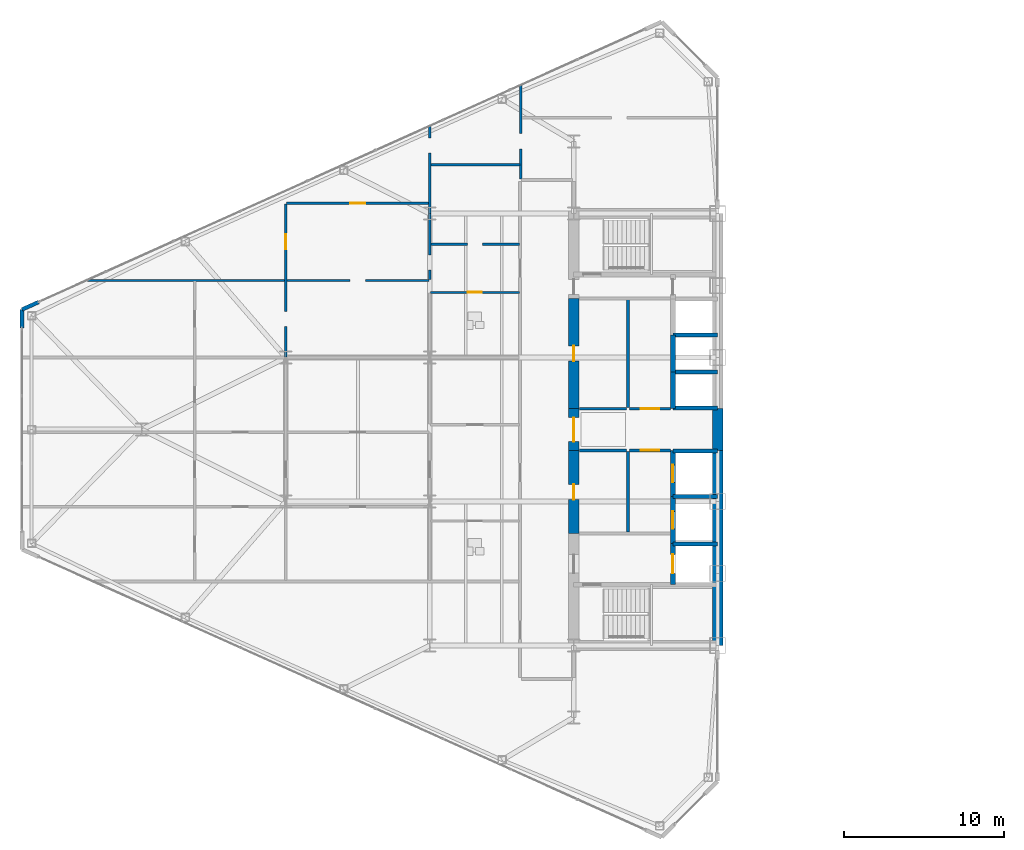
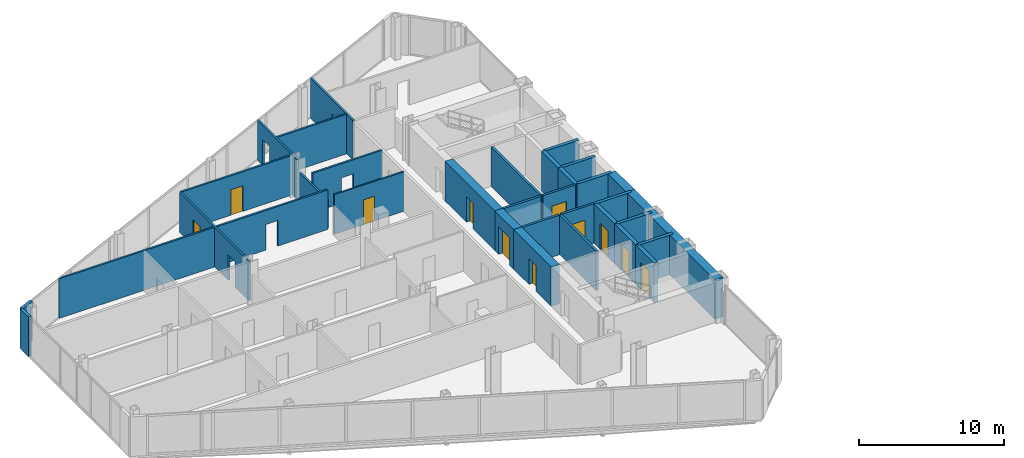
# One storey, part 20 of 27: 33 walls, 11 doors, 17 openings.
"""IFC4 building model written with IfcOpenShell, lengths in metres."""

from ifc_helpers import new_model, si_unit, direction, frame, frame_2d, origin, place, context, subcontext, project, spatial, rectangle, extrude, source, transform, mapped, material, layer, layer_set, type_object, type_shapes, element, fill, save


model = new_model("IFC4")

# Units and contexts
model_context = context("Model", 3, precision=1e-05, world=origin(), true_north=direction((0.0, 1.0)))
body_context = subcontext(model_context, "Body", "Model", "MODEL_VIEW")
ifc_project = project(units=[si_unit("LENGTHUNIT", "METRE"), si_unit("AREAUNIT", "SQUARE_METRE"), si_unit("VOLUMEUNIT", "CUBIC_METRE"), si_unit("PLANEANGLEUNIT", "RADIAN"), si_unit("MASSUNIT", "GRAM", prefix="KILO")], contexts=[model_context])

# Site, building, storey
site_placement = place(None, origin())
site = spatial("IfcSite", under=ifc_project, at=site_placement, CompositionType="ELEMENT")
building_placement = place(site_placement, origin())
building = spatial("IfcBuilding", under=site, at=building_placement, Name="Seokmaru Belvedere", CompositionType="ELEMENT")
storey_placement = place(building_placement, frame((0.0, 0.0, 83.699951171875)))
storey = spatial("IfcBuildingStorey", under=building, at=storey_placement, Name="L22", CompositionType="ELEMENT", Elevation=83.699951171875)

# Wall, opening
ifc_material_1 = material(Name="Fire-Rated Gypsum Shaftwall")
ifc_layer_1 = layer(ifc_material_1, 0.14990234375)
ifc_layer_set_1 = layer_set([ifc_layer_1], Name="Fire-Rated Gypsum Shaftwall")
wall_type_1 = type_object("IfcWallType", Name="Apartment Fire-Acoustic Room Partition 150", PredefinedType="PARTITIONING", material=ifc_layer_set_1)
wall_1_placement = place(storey_placement, frame((-66.97900390625, 9.320068359375, 0.0), z_axis=(0.0, 0.0, 1.0), x_axis=(1.0, 0.0, 0.0)))
wall_1 = element("IfcWall", 1, at=wall_1_placement, inside=storey, type_object=wall_type_1, Name="L22 Interior Partition 024", PredefinedType="PARTITIONING", context=body_context, shape_type="SweptSolid", body=[
    extrude(rectangle(XDim=21.428955078125, YDim=0.14990234375, at=frame_2d((10.71435546875, 0.0))), origin(), (0.0, 0.0, 1.0), 3.340087890625),
])
opening_1_placement = place(wall_1_placement, frame((16.50390625, 0.0, 0.0)))
element("IfcOpeningElement", 2, at=opening_1_placement, cuts=wall_1, Name="L22 Cased Opening 019", PredefinedType="OPENING", context=body_context, shape_type="SweptSolid", body=[
    extrude(rectangle(XDim=0.949951171875, YDim=2.14990234375, at=frame_2d((0.47509765625, 1.074951171875))), frame((0.0, 0.0849609375, 0.0), z_axis=(0.0, -1.0, 0.0), x_axis=(1.0, 0.0, 0.0)), (0.0, 0.0, 1.0), 0.169921875),
])

wall_2_placement = place(storey_placement, frame((-45.449951171875, 11.580078125, 0.0), z_axis=(0.0, 0.0, 1.0), x_axis=(1.0, 0.0, 0.0)))
wall_2 = element("IfcWall", 3, at=wall_2_placement, inside=storey, type_object=wall_type_1, Name="L22 Interior Partition 026", PredefinedType="PARTITIONING", context=body_context, shape_type="SweptSolid", body=[
    extrude(rectangle(XDim=5.550048828125, YDim=0.14990234375, at=frame_2d((2.77490234375, 0.0))), origin(), (0.0, 0.0, 1.0), 3.340087890625),
])
opening_2_placement = place(wall_2_placement, frame((2.300048828125, 0.0, 0.0)))
element("IfcOpeningElement", 4, at=opening_2_placement, cuts=wall_2, Name="L22 Cased Opening 016", PredefinedType="OPENING", context=body_context, shape_type="SweptSolid", body=[
    extrude(rectangle(XDim=0.949951171875, YDim=2.14990234375, at=frame_2d((0.47509765625, 1.074951171875))), frame((0.0, 0.0849609375, 0.0), z_axis=(0.0, -1.0, 0.0), x_axis=(1.0, 0.0, 0.0)), (0.0, 0.0, 1.0), 0.169921875),
])

# Wall, opening, door
wall_3_placement = place(storey_placement, frame((-54.449951171875, 14.14990234375, 0.0), z_axis=(0.0, 0.0, 1.0), x_axis=(1.0, 0.0, 0.0)))
wall_3 = element("IfcWall", 5, at=wall_3_placement, inside=storey, type_object=wall_type_1, Name="L22 Interior Partition 028", PredefinedType="PARTITIONING", context=body_context, shape_type="SweptSolid", body=[
    extrude(rectangle(XDim=8.89990234375, YDim=0.14990234375, at=frame_2d((4.449951171875, 0.0))), origin(), (0.0, 0.0, 1.0), 3.340087890625),
])
opening_3_placement = place(wall_3_placement, frame((3.97509765625, 0.0, 0.0)))
opening_3 = element("IfcOpeningElement", 6, at=opening_3_placement, cuts=wall_3, Name="Opening D05", PredefinedType="OPENING", context=body_context, shape_type="SweptSolid", body=[
    extrude(rectangle(XDim=0.949951171875, YDim=2.14990234375, at=frame_2d((0.47509765625, 1.074951171875))), frame((0.0, 0.0849609375, 0.0), z_axis=(0.0, -1.0, 0.0), x_axis=(1.0, 0.0, 0.0)), (0.0, 0.0, 1.0), 0.169921875),
])
ifc_material_2 = material(Name="Engineered White Oak Timber", Category="wood")
door_type_1 = type_object("IfcDoorType", Name="Apartment Interior Fire-Rated Oak Door 950x2150", OperationType="NOTDEFINED", PredefinedType="DOOR", material=ifc_material_2)
shared_shape_1 = source(origin(), body_context, "Body", "SweptSolid", [
    extrude(rectangle(XDim=0.949951171875, YDim=2.14990234375, at=frame_2d((0.47509765625, 1.074951171875))), frame((0.0, 0.02490234375, 0.0), z_axis=(0.0, -1.0, 0.0), x_axis=(1.0, 0.0, 0.0)), (0.0, 0.0, 1.0), 0.050048828125),
])
type_shapes(door_type_1, [shared_shape_1])
door_1_placement = place(opening_3_placement, origin())
door_1 = element("IfcDoor", 7, at=door_1_placement, inside=storey, type_object=door_type_1, Name="L22 Interior Door 020", OperationType="SINGLE_SWING_RIGHT", OverallHeight=2.14990234375, OverallWidth=0.949951171875, PredefinedType="DOOR", context=body_context, shape_type="MappedRepresentation", body=[
    mapped(shared_shape_1, transform((0.0, 0.0, 0.0), scale=1.0)),
])
fill(opening_3, door_1)

# Wall
wall_4_placement = place(storey_placement, frame((-45.449951171875, 16.56005859375, 0.0), z_axis=(0.0, 0.0, 1.0), x_axis=(1.0, 0.0, 0.0)))
element("IfcWall", 8, at=wall_4_placement, inside=storey, type_object=wall_type_1, Name="L22 Interior Partition 032", PredefinedType="PARTITIONING", context=body_context, shape_type="SweptSolid", body=[
    extrude(rectangle(XDim=5.599853515625, YDim=0.14990234375, at=frame_2d((2.7998046875, 0.0))), origin(), (0.0, 0.0, 1.0), 3.340087890625),
])

# Wall, openings, door
wall_5_placement = place(storey_placement, frame((-54.5, 4.52001953125, 0.0), z_axis=(0.0, 0.0, 1.0), x_axis=(0.0, 1.0, 0.0)))
wall_5 = element("IfcWall", 9, at=wall_5_placement, inside=storey, type_object=wall_type_1, Name="L22 Interior Partition 037 Part 3", PredefinedType="PARTITIONING", context=body_context, shape_type="SweptSolid", body=[
    extrude(rectangle(XDim=9.580078125, YDim=0.14990234375, at=frame_2d((4.7900390625, 0.0))), origin(), (0.0, 0.0, 1.0), 3.340087890625),
])
opening_4_placement = place(wall_5_placement, frame((6.742431640625, 0.0, 0.0)))
opening_4 = element("IfcOpeningElement", 10, at=opening_4_placement, cuts=wall_5, Name="Opening D05", PredefinedType="OPENING", context=body_context, shape_type="SweptSolid", body=[
    extrude(rectangle(XDim=0.949951171875, YDim=2.14990234375, at=frame_2d((0.47509765625, 1.074951171875))), frame((0.0, 0.0849609375, 0.0), z_axis=(0.0, -1.0, 0.0), x_axis=(1.0, 0.0, 0.0)), (0.0, 0.0, 1.0), 0.169921875),
])
opening_5_placement = place(wall_5_placement, frame((1.91748046875, 0.0, 0.0)))
element("IfcOpeningElement", 11, at=opening_5_placement, cuts=wall_5, Name="L22 Cased Opening 021", PredefinedType="OPENING", context=body_context, shape_type="SweptSolid", body=[
    extrude(rectangle(XDim=0.949951171875, YDim=2.14990234375, at=frame_2d((0.47509765625, 1.074951171875))), frame((0.0, 0.0849609375, 0.0), z_axis=(0.0, -1.0, 0.0), x_axis=(1.0, 0.0, 0.0)), (0.0, 0.0, 1.0), 0.169921875),
])
door_2_placement = place(opening_4_placement, origin())
door_2 = element("IfcDoor", 12, at=door_2_placement, inside=storey, type_object=door_type_1, Name="L22 Interior Door 018", OperationType="SINGLE_SWING_RIGHT", OverallHeight=2.14990234375, OverallWidth=0.949951171875, PredefinedType="DOOR", context=body_context, shape_type="MappedRepresentation", body=[
    mapped(shared_shape_1, transform((0.0, 0.0, 0.0), scale=1.0)),
])
fill(opening_4, door_2)

# Wall, opening
wall_6_placement = place(storey_placement, frame((-45.5, 9.375, 0.0), z_axis=(0.0, 0.0, 1.0), x_axis=(0.0, 1.0, 0.0)))
wall_6 = element("IfcWall", 13, at=wall_6_placement, inside=storey, type_object=wall_type_1, Name="L22 Interior Partition 040", PredefinedType="PARTITIONING", context=body_context, shape_type="SweptSolid", body=[
    extrude(rectangle(XDim=4.14501953125, YDim=0.14990234375, at=frame_2d((2.072509765625, 0.0))), origin(), (0.0, 0.0, 1.0), 2.43994140625),
])
opening_6_placement = place(wall_6_placement, frame((0.601318359375, 0.0, 0.0)))
element("IfcOpeningElement", 14, at=opening_6_placement, cuts=wall_6, Name="L22 Cased Opening 017", PredefinedType="OPENING", context=body_context, shape_type="SweptSolid", body=[
    extrude(rectangle(XDim=0.949951171875, YDim=2.14990234375, at=frame_2d((0.47509765625, 1.074951171875))), frame((0.0, 0.0849609375, 0.0), z_axis=(0.0, -1.0, 0.0), x_axis=(1.0, 0.0, 0.0)), (0.0, 0.0, 1.0), 0.169921875),
])

wall_7_placement = place(storey_placement, frame((-45.5, 13.52001953125, 0.0), z_axis=(0.0, 0.0, 1.0), x_axis=(0.0, 1.0, 0.0)))
wall_7 = element("IfcWall", 15, at=wall_7_placement, inside=storey, type_object=wall_type_1, Name="L22 Interior Partition 040 Part 2", PredefinedType="PARTITIONING", context=body_context, shape_type="SweptSolid", body=[
    extrude(rectangle(XDim=5.489990234375, YDim=0.14990234375, at=frame_2d((2.7451171875, 0.0))), origin(), (0.0, 0.0, 1.0), 3.340087890625),
])
opening_7_placement = place(wall_7_placement, frame((3.77197265625, 0.0, 0.0)))
element("IfcOpeningElement", 16, at=opening_7_placement, cuts=wall_7, Name="L22 Cased Opening 023", PredefinedType="OPENING", context=body_context, shape_type="SweptSolid", body=[
    extrude(rectangle(XDim=0.949951171875, YDim=2.14990234375, at=frame_2d((0.47509765625, 1.074951171875))), frame((0.0, 0.0849609375, 0.0), z_axis=(0.0, -1.0, 0.0), x_axis=(1.0, 0.0, 0.0)), (0.0, 0.0, 1.0), 0.169921875),
])

wall_8_placement = place(storey_placement, frame((-39.800048828125, 15.64990234375, 0.0), z_axis=(0.0, 0.0, 1.0), x_axis=(0.0, 1.0, 0.0)))
wall_8 = element("IfcWall", 17, at=wall_8_placement, inside=storey, type_object=wall_type_1, Name="L22 Interior Partition 042", PredefinedType="PARTITIONING", context=body_context, shape_type="SweptSolid", body=[
    extrude(rectangle(XDim=5.925048828125, YDim=0.14990234375, at=frame_2d((2.96240234375, 0.0))), origin(), (0.0, 0.0, 1.0), 3.340087890625),
])
opening_8_placement = place(wall_8_placement, frame((1.904296875, 0.0, 0.0)))
element("IfcOpeningElement", 18, at=opening_8_placement, cuts=wall_8, Name="L22 Cased Opening 024", PredefinedType="OPENING", context=body_context, shape_type="SweptSolid", body=[
    extrude(rectangle(XDim=0.949951171875, YDim=2.14990234375, at=frame_2d((0.47509765625, 1.074951171875))), frame((0.0, 0.0849609375, 0.0), z_axis=(0.0, -1.0, 0.0), x_axis=(1.0, 0.0, 0.0)), (0.0, 0.0, 1.0), 0.169921875),
])

# Walls
ifc_layer_2 = layer(ifc_material_1, 0.179931640625)
ifc_layer_set_2 = layer_set([ifc_layer_2], Name="Fire-Rated Gypsum Shaftwall")
wall_type_2 = type_object("IfcWallType", Name="Core Service Fire Partition 180", PredefinedType="PARTITIONING", material=ifc_layer_set_2)
wall_9_placement = place(storey_placement, frame((-33.10009765625, -6.419921875, 0.0), z_axis=(0.0, 0.0, 1.0), x_axis=(0.0, 1.0, 0.0)))
element("IfcWall", 19, at=wall_9_placement, inside=storey, type_object=wall_type_2, Name="L22 West South Core Service Back Wall", PredefinedType="PARTITIONING", context=body_context, shape_type="SweptSolid", body=[
    extrude(rectangle(XDim=5.0400390625, YDim=0.179931640625, at=frame_2d((2.52001953125, 0.0))), origin(), (0.0, 0.0, 1.0), 3.340087890625),
])
wall_10_placement = place(storey_placement, frame((-33.10009765625, 1.3798828125, 0.0), z_axis=(0.0, 0.0, 1.0), x_axis=(0.0, 1.0, 0.0)))
element("IfcWall", 20, at=wall_10_placement, inside=storey, type_object=wall_type_2, Name="L22 West North Core Service Back Wall", PredefinedType="PARTITIONING", context=body_context, shape_type="SweptSolid", body=[
    extrude(rectangle(XDim=6.740234375, YDim=0.179931640625, at=frame_2d((3.3701171875, 0.0))), origin(), (0.0, 0.0, 1.0), 3.340087890625),
])

# Wall, opening, door
wall_11_placement = place(storey_placement, frame((-33.02001953125, -1.300048828125, 0.0), z_axis=(0.0, 0.0, 1.0), x_axis=(1.0, 0.0, 0.0)))
wall_11 = element("IfcWall", 21, at=wall_11_placement, inside=storey, type_object=wall_type_2, Name="L22 West South Lift Lobby Foyer Wall", PredefinedType="PARTITIONING", context=body_context, shape_type="SweptSolid", body=[
    extrude(rectangle(XDim=2.570068359375, YDim=0.179931640625, at=frame_2d((1.28515625, 0.0))), origin(), (0.0, 0.0, 1.0), 3.340087890625),
])
opening_9_placement = place(wall_11_placement, frame((0.7099609375, 0.0, 0.0)))
opening_9 = element("IfcOpeningElement", 22, at=opening_9_placement, cuts=wall_11, Name="Opening D02", PredefinedType="OPENING", context=body_context, shape_type="SweptSolid", body=[
    extrude(rectangle(XDim=1.14990234375, YDim=2.199951171875, at=frame_2d((0.574951171875, 1.10009765625))), frame((0.0, 0.10009765625, 0.0), z_axis=(0.0, -1.0, 0.0), x_axis=(1.0, 0.0, 0.0)), (0.0, 0.0, 1.0), 0.199951171875),
])
ifc_material_3 = material(Name="Fire-Rated Steel Leaf", Category="steel")
door_type_2 = type_object("IfcDoorType", Name="Lobby and Vestibule Fire Door 1150x2200", OperationType="NOTDEFINED", PredefinedType="DOOR", material=ifc_material_3)
shared_shape_2 = source(origin(), body_context, "Body", "SweptSolid", [
    extrude(rectangle(XDim=1.14990234375, YDim=2.199951171875, at=frame_2d((0.574951171875, 1.10009765625))), frame((0.0, 0.02490234375, 0.0), z_axis=(0.0, -1.0, 0.0), x_axis=(1.0, 0.0, 0.0)), (0.0, 0.0, 1.0), 0.050048828125),
])
type_shapes(door_type_2, [shared_shape_2])
door_3_placement = place(opening_9_placement, origin())
door_3 = element("IfcDoor", 23, at=door_3_placement, inside=storey, type_object=door_type_2, Name="L22 West South Core Foyer Door", OperationType="SINGLE_SWING_LEFT", OverallHeight=2.199951171875, OverallWidth=1.14990234375, PredefinedType="DOOR", context=body_context, shape_type="MappedRepresentation", body=[
    mapped(shared_shape_2, transform((0.0, 0.0, 0.0), scale=1.0)),
])
fill(opening_9, door_3)

wall_12_placement = place(storey_placement, frame((-33.02001953125, 1.300048828125, 0.0), z_axis=(0.0, 0.0, 1.0), x_axis=(1.0, 0.0, 0.0)))
wall_12 = element("IfcWall", 24, at=wall_12_placement, inside=storey, type_object=wall_type_2, Name="L22 West North Lift Lobby Foyer Wall", PredefinedType="PARTITIONING", context=body_context, shape_type="SweptSolid", body=[
    extrude(rectangle(XDim=2.570068359375, YDim=0.179931640625, at=frame_2d((1.28515625, 0.0))), origin(), (0.0, 0.0, 1.0), 3.340087890625),
])
opening_10_placement = place(wall_12_placement, frame((0.7099609375, 0.0, 0.0)))
opening_10 = element("IfcOpeningElement", 25, at=opening_10_placement, cuts=wall_12, Name="Opening D02", PredefinedType="OPENING", context=body_context, shape_type="SweptSolid", body=[
    extrude(rectangle(XDim=1.14990234375, YDim=2.199951171875, at=frame_2d((0.574951171875, 1.10009765625))), frame((0.0, 0.10009765625, 0.0), z_axis=(0.0, -1.0, 0.0), x_axis=(1.0, 0.0, 0.0)), (0.0, 0.0, 1.0), 0.199951171875),
])
door_4_placement = place(opening_10_placement, origin())
door_4 = element("IfcDoor", 26, at=door_4_placement, inside=storey, type_object=door_type_2, Name="L22 West North Lift Lobby Door", OperationType="SINGLE_SWING_RIGHT", OverallHeight=2.199951171875, OverallWidth=1.14990234375, PredefinedType="DOOR", context=body_context, shape_type="MappedRepresentation", body=[
    mapped(shared_shape_2, transform((0.0, 0.0, 0.0), scale=1.0)),
])
fill(opening_10, door_4)

# Walls
for number, where, z_axis, x_axis, name in (
    (27, (-36.14990234375, -1.300048828125, 0.0), (0.0, 0.0, 1.0), (1.0, 0.0, 0.0), "L22 West Foyer Side Wall S"),
    (28, (-36.14990234375, 1.300048828125, 0.0), (0.0, 0.0, 1.0), (1.0, 0.0, 0.0), "L22 West Foyer Side Wall N"),
):
    element("IfcWall", number, at=place(storey_placement, frame(where, z_axis=z_axis, x_axis=x_axis)), inside=storey, type_object=wall_type_2, Name=name, PredefinedType="PARTITIONING", context=body_context, shape_type="SweptSolid", body=[
        extrude(rectangle(XDim=2.949951171875, YDim=0.179931640625, at=frame_2d((1.47509765625, 0.0))), origin(), (0.0, 0.0, 1.0), 3.340087890625),
    ])
ifc_material_4 = material(Name="Concrete C50 (50 MPa)", Category="concrete")
ifc_layer_3 = layer(ifc_material_4, 0.25)
ifc_layer_set_3 = layer_set([ifc_layer_3], Name="Concrete C50 (50 MPa)")
wall_type_3 = type_object("IfcWallType", Name="Hoistway Transverse Concrete Divider Wall 250", PredefinedType="SHEAR", material=ifc_layer_set_3)
for number, where, z_axis, x_axis, name in (
    (29, (-30.300048828125, -7.14990234375, 0.0), (0.0, 0.0, 1.0), (1.0, 0.0, 0.0), "L22 West Hoistway Divider Core Wall 1"),
    (30, (-30.300048828125, -4.199951171875, 0.0), (0.0, 0.0, 1.0), (1.0, 0.0, 0.0), "L22 West Hoistway Divider Core Wall 2"),
    (31, (-30.300048828125, -1.35009765625, 0.0), (0.0, 0.0, 1.0), (1.0, 0.0, 0.0), "L22 West Hoistway Divider Core Wall 3"),
    (32, (-30.300048828125, 1.35009765625, 0.0), (0.0, 0.0, 1.0), (1.0, 0.0, 0.0), "L22 West Hoistway Divider Core Wall 4"),
    (33, (-30.300048828125, 3.60009765625, 0.0), (0.0, 0.0, 1.0), (1.0, 0.0, 0.0), "L22 West Hoistway Divider Core Wall 5"),
    (34, (-30.300048828125, 5.89990234375, 0.0), (0.0, 0.0, 1.0), (1.0, 0.0, 0.0), "L22 West Hoistway Divider Core Wall 6"),
):
    element("IfcWall", number, at=place(storey_placement, frame(where, z_axis=z_axis, x_axis=x_axis)), inside=storey, type_object=wall_type_3, Name=name, PredefinedType="SHEAR", context=body_context, shape_type="SweptSolid", body=[
        extrude(rectangle(XDim=2.800048828125, YDim=0.25, at=frame_2d((1.39990234375, 0.0))), origin(), (0.0, 0.0, 1.0), 3.340087890625),
    ])

# Wall, opening, door
ifc_layer_4 = layer(ifc_material_4, 0.300048828125)
ifc_layer_set_4 = layer_set([ifc_layer_4], Name="Concrete C50 (50 MPa)")
wall_type_4 = type_object("IfcWallType", Name="Internal Core Stair and Hoistway Wall 300", PredefinedType="SHEAR", material=ifc_layer_set_4)
wall_13_placement = place(storey_placement, frame((-30.300048828125, -9.679931640625, 0.0), z_axis=(0.0, 0.0, 1.0), x_axis=(0.0, 1.0, 0.0)))
wall_13 = element("IfcWall", 35, at=wall_13_placement, inside=storey, type_object=wall_type_4, Name="L22 West Firefighting Lift Shaft Front Wall", PredefinedType="SHEAR", context=body_context, shape_type="SweptSolid", body=[
    extrude(rectangle(XDim=2.559814453125, YDim=0.300048828125, at=frame_2d((1.27978515625, 0.0))), origin(), (0.0, 0.0, 1.0), 3.340087890625),
])
opening_11_placement = place(wall_13_placement, frame((0.679931640625, 0.0, 0.0)))
opening_11 = element("IfcOpeningElement", 36, at=opening_11_placement, cuts=wall_13, Name="Opening LD2", PredefinedType="OPENING", context=body_context, shape_type="SweptSolid", body=[
    extrude(rectangle(XDim=1.199951171875, YDim=2.25, at=frame_2d((0.60009765625, 1.125))), frame((0.0, 0.16015625, 0.0), z_axis=(0.0, -1.0, 0.0), x_axis=(1.0, 0.0, 0.0)), (0.0, 0.0, 1.0), 0.320068359375),
])
ifc_material_5 = material(Name="Stainless Steel 316", Category="steel")
door_type_3 = type_object("IfcDoorType", Name="Firefighting Lift Sliding Landing Door 1200x2250", OperationType="DOUBLE_DOOR_SLIDING", PredefinedType="DOOR", material=ifc_material_5)
shared_shape_3 = source(origin(), body_context, "Body", "SweptSolid", [
    extrude(rectangle(XDim=1.199951171875, YDim=2.25, at=frame_2d((0.60009765625, 1.125))), frame((0.0, 0.02490234375, 0.0), z_axis=(0.0, -1.0, 0.0), x_axis=(1.0, 0.0, 0.0)), (0.0, 0.0, 1.0), 0.050048828125),
])
type_shapes(door_type_3, [shared_shape_3])
door_5_placement = place(opening_11_placement, origin())
door_5 = element("IfcDoor", 37, at=door_5_placement, inside=storey, type_object=door_type_3, Name="L22 West Firefighting Lift Landing Door", OperationType="DOUBLE_DOOR_SLIDING", OverallHeight=2.25, OverallWidth=1.199951171875, PredefinedType="DOOR", context=body_context, shape_type="MappedRepresentation", body=[
    mapped(shared_shape_3, transform((0.0, 0.0, 0.0), scale=1.0)),
])
fill(opening_11, door_5)

wall_14_placement = place(storey_placement, frame((-30.300048828125, -7.1201171875, 0.0), z_axis=(0.0, 0.0, 1.0), x_axis=(0.0, 1.0, 0.0)))
wall_14 = element("IfcWall", 38, at=wall_14_placement, inside=storey, type_object=wall_type_4, Name="L22 West Low-Rise Lift PL-1 Front Wall", PredefinedType="SHEAR", context=body_context, shape_type="SweptSolid", body=[
    extrude(rectangle(XDim=2.920166015625, YDim=0.300048828125, at=frame_2d((1.4599609375, 0.0))), origin(), (0.0, 0.0, 1.0), 3.340087890625),
])
opening_12_placement = place(wall_14_placement, frame((0.909912109375, 0.0, 0.0)))
opening_12 = element("IfcOpeningElement", 39, at=opening_12_placement, cuts=wall_14, Name="Opening LD1", PredefinedType="OPENING", context=body_context, shape_type="SweptSolid", body=[
    extrude(rectangle(XDim=1.10009765625, YDim=2.199951171875, at=frame_2d((0.550048828125, 1.10009765625))), frame((0.0, 0.16015625, 0.0), z_axis=(0.0, -1.0, 0.0), x_axis=(1.0, 0.0, 0.0)), (0.0, 0.0, 1.0), 0.320068359375),
])
door_type_4 = type_object("IfcDoorType", Name="Passenger Lift Sliding Landing Door 1100x2200", OperationType="DOUBLE_DOOR_SLIDING", PredefinedType="DOOR", material=ifc_material_5)
shared_shape_4 = source(origin(), body_context, "Body", "SweptSolid", [
    extrude(rectangle(XDim=1.10009765625, YDim=2.199951171875, at=frame_2d((0.550048828125, 1.10009765625))), frame((0.0, 0.02490234375, 0.0), z_axis=(0.0, -1.0, 0.0), x_axis=(1.0, 0.0, 0.0)), (0.0, 0.0, 1.0), 0.050048828125),
])
type_shapes(door_type_4, [shared_shape_4])
door_6_placement = place(opening_12_placement, origin())
door_6 = element("IfcDoor", 40, at=door_6_placement, inside=storey, type_object=door_type_4, Name="L22 West Low-Rise Lift PL-1 Landing Door", OperationType="DOUBLE_DOOR_SLIDING", OverallHeight=2.199951171875, OverallWidth=1.10009765625, PredefinedType="DOOR", context=body_context, shape_type="MappedRepresentation", body=[
    mapped(shared_shape_4, transform((0.0, 0.0, 0.0), scale=1.0)),
])
fill(opening_12, door_6)

wall_15_placement = place(storey_placement, frame((-30.300048828125, -4.199951171875, 0.0), z_axis=(0.0, 0.0, 1.0), x_axis=(0.0, 1.0, 0.0)))
wall_15 = element("IfcWall", 41, at=wall_15_placement, inside=storey, type_object=wall_type_4, Name="L22 West Low-Rise Lift PL-2 Front Wall", PredefinedType="SHEAR", context=body_context, shape_type="SweptSolid", body=[
    extrude(rectangle(XDim=2.8798828125, YDim=0.300048828125, at=frame_2d((1.43994140625, 0.0))), origin(), (0.0, 0.0, 1.0), 3.340087890625),
])
opening_13_placement = place(wall_15_placement, frame((0.889892578125, 0.0, 0.0)))
opening_13 = element("IfcOpeningElement", 42, at=opening_13_placement, cuts=wall_15, Name="Opening LD1", PredefinedType="OPENING", context=body_context, shape_type="SweptSolid", body=[
    extrude(rectangle(XDim=1.10009765625, YDim=2.199951171875, at=frame_2d((0.550048828125, 1.10009765625))), frame((0.0, 0.16015625, 0.0), z_axis=(0.0, -1.0, 0.0), x_axis=(1.0, 0.0, 0.0)), (0.0, 0.0, 1.0), 0.320068359375),
])
door_7_placement = place(opening_13_placement, origin())
door_7 = element("IfcDoor", 43, at=door_7_placement, inside=storey, type_object=door_type_4, Name="L22 West Low-Rise Lift PL-2 Landing Door", OperationType="DOUBLE_DOOR_SLIDING", OverallHeight=2.199951171875, OverallWidth=1.10009765625, PredefinedType="DOOR", context=body_context, shape_type="MappedRepresentation", body=[
    mapped(shared_shape_4, transform((0.0, 0.0, 0.0), scale=1.0)),
])
fill(opening_13, door_7)

# Walls
wall_16_placement = place(storey_placement, frame((-30.300048828125, 1.320068359375, 0.0), z_axis=(0.0, 0.0, 1.0), x_axis=(0.0, 1.0, 0.0)))
element("IfcWall", 44, at=wall_16_placement, inside=storey, type_object=wall_type_4, Name="L22 West North Hoistway Wall PH1", PredefinedType="SHEAR", context=body_context, shape_type="SweptSolid", body=[
    extrude(rectangle(XDim=2.280029296875, YDim=0.300048828125, at=frame_2d((1.14013671875, 0.0))), origin(), (0.0, 0.0, 1.0), 3.340087890625),
])
wall_17_placement = place(storey_placement, frame((-30.300048828125, 3.60009765625, 0.0), z_axis=(0.0, 0.0, 1.0), x_axis=(0.0, 1.0, 0.0)))
element("IfcWall", 45, at=wall_17_placement, inside=storey, type_object=wall_type_4, Name="L22 West North Hoistway Wall PH2", PredefinedType="SHEAR", context=body_context, shape_type="SweptSolid", body=[
    extrude(rectangle(XDim=2.2998046875, YDim=0.300048828125, at=frame_2d((1.14990234375, 0.0))), origin(), (0.0, 0.0, 1.0), 3.340087890625),
])
ifc_material_6 = material(Name="Concrete C60 (60 MPa)", Category="concrete")
ifc_layer_5 = layer(ifc_material_6, 0.64990234375)
ifc_layer_set_5 = layer_set([ifc_layer_5], Name="Concrete C60 (60 MPa)")
wall_type_5 = type_object("IfcWallType", Name="Mid-Low Reinforced Concrete Core Wall 650", PredefinedType="SHEAR", material=ifc_layer_set_5)
wall_18_placement = place(storey_placement, frame((-27.5, -13.5, 0.0), z_axis=(0.0, 0.0, 1.0), x_axis=(0.0, 1.0, 0.0)))
element("IfcWall", 46, at=wall_18_placement, inside=storey, type_object=wall_type_5, Name="L22 West Portal Spine Core Wall South", PredefinedType="SHEAR", context=body_context, shape_type="SweptSolid", body=[
    extrude(rectangle(XDim=12.199951171875, YDim=0.64990234375, at=frame_2d((6.10009765625, 0.0))), origin(), (0.0, 0.0, 1.0), 3.340087890625),
])
wall_19_placement = place(storey_placement, frame((-27.5, -1.300048828125, 0.0), z_axis=(0.0, 0.0, 1.0), x_axis=(0.0, 1.0, 0.0)))
element("IfcWall", 47, at=wall_19_placement, inside=storey, type_object=wall_type_5, Name="L22 West Portal Spine Core Wall Center", PredefinedType="SHEAR", context=body_context, shape_type="SweptSolid", body=[
    extrude(rectangle(XDim=2.60009765625, YDim=0.64990234375, at=frame_2d((1.300048828125, 0.0))), origin(), (0.0, 0.0, 1.0), 3.340087890625),
])

# Wall, opening, door
wall_20_placement = place(storey_placement, frame((-36.5, -1.300048828125, 0.0), z_axis=(0.0, 0.0, 1.0), x_axis=(0.0, 1.0, 0.0)))
wall_20 = element("IfcWall", 48, at=wall_20_placement, inside=storey, type_object=wall_type_5, Name="L22 West West Core Wall FOY", PredefinedType="SHEAR", context=body_context, shape_type="SweptSolid", body=[
    extrude(rectangle(XDim=2.60009765625, YDim=0.64990234375, at=frame_2d((1.300048828125, 0.0))), origin(), (0.0, 0.0, 1.0), 3.340087890625),
])
opening_14_placement = place(wall_20_placement, frame((0.550048828125, 0.0, 0.0)))
opening_14 = element("IfcOpeningElement", 49, at=opening_14_placement, cuts=wall_20, Name="Opening D08", PredefinedType="OPENING", context=body_context, shape_type="SweptSolid", body=[
    extrude(rectangle(XDim=1.5, YDim=2.300048828125, at=frame_2d((0.75, 1.14990234375))), frame((0.0, 0.3349609375, 0.0), z_axis=(0.0, -1.0, 0.0), x_axis=(1.0, 0.0, 0.0)), (0.0, 0.0, 1.0), 0.669921875),
])
door_type_5 = type_object("IfcDoorType", Name="Cross-Corridor Compartment Double Fire Door 1500x2300", OperationType="DOUBLE_SWING_LEFT", PredefinedType="DOOR", material=ifc_material_3)
shared_shape_5 = source(origin(), body_context, "Body", "SweptSolid", [
    extrude(rectangle(XDim=1.5, YDim=2.300048828125, at=frame_2d((0.75, 1.14990234375))), frame((0.0, 0.02490234375, 0.0), z_axis=(0.0, -1.0, 0.0), x_axis=(1.0, 0.0, 0.0)), (0.0, 0.0, 1.0), 0.050048828125),
])
type_shapes(door_type_5, [shared_shape_5])
door_8_placement = place(opening_14_placement, origin())
door_8 = element("IfcDoor", 50, at=door_8_placement, inside=storey, type_object=door_type_5, Name="L22 West Core Foyer Compartment Door", OperationType="DOUBLE_SWING_LEFT", OverallHeight=2.300048828125, OverallWidth=1.5, PredefinedType="DOOR", context=body_context, shape_type="MappedRepresentation", body=[
    mapped(shared_shape_5, transform((0.0, 0.0, 0.0), scale=1.0)),
])
fill(opening_14, door_8)

wall_21_placement = place(storey_placement, frame((-36.5, -6.5, 0.0), z_axis=(0.0, 0.0, 1.0), x_axis=(0.0, 1.0, 0.0)))
wall_21 = element("IfcWall", 51, at=wall_21_placement, inside=storey, type_object=wall_type_5, Name="L22 West West Core Wall CS1", PredefinedType="SHEAR", context=body_context, shape_type="SweptSolid", body=[
    extrude(rectangle(XDim=5.199951171875, YDim=0.64990234375, at=frame_2d((2.60009765625, 0.0))), origin(), (0.0, 0.0, 1.0), 3.340087890625),
])
opening_15_placement = place(wall_21_placement, frame((2.125, 0.0, 0.0)))
opening_15 = element("IfcOpeningElement", 52, at=opening_15_placement, cuts=wall_21, Name="Opening D04", PredefinedType="OPENING", context=body_context, shape_type="SweptSolid", body=[
    extrude(rectangle(XDim=0.949951171875, YDim=2.14990234375, at=frame_2d((0.47509765625, 1.074951171875))), frame((0.0, 0.3349609375, 0.0), z_axis=(0.0, -1.0, 0.0), x_axis=(1.0, 0.0, 0.0)), (0.0, 0.0, 1.0), 0.669921875),
])
door_type_6 = type_object("IfcDoorType", Name="Core Service Room Fire Door 950x2150", OperationType="NOTDEFINED", PredefinedType="DOOR", material=ifc_material_3)
shared_shape_6 = source(origin(), body_context, "Body", "SweptSolid", [
    extrude(rectangle(XDim=0.949951171875, YDim=2.14990234375, at=frame_2d((0.47509765625, 1.074951171875))), frame((0.0, 0.02490234375, 0.0), z_axis=(0.0, -1.0, 0.0), x_axis=(1.0, 0.0, 0.0)), (0.0, 0.0, 1.0), 0.050048828125),
])
type_shapes(door_type_6, [shared_shape_6])
door_9_placement = place(opening_15_placement, origin())
door_9 = element("IfcDoor", 53, at=door_9_placement, inside=storey, type_object=door_type_6, Name="L22 West Core Service Room Door 1", OperationType="SINGLE_SWING_LEFT", OverallHeight=2.14990234375, OverallWidth=0.949951171875, PredefinedType="DOOR", context=body_context, shape_type="MappedRepresentation", body=[
    mapped(shared_shape_6, transform((0.0, 0.0, 0.0), scale=1.0)),
])
fill(opening_15, door_9)

wall_22_placement = place(storey_placement, frame((-36.5, 1.300048828125, 0.0), z_axis=(0.0, 0.0, 1.0), x_axis=(0.0, 1.0, 0.0)))
wall_22 = element("IfcWall", 54, at=wall_22_placement, inside=storey, type_object=wall_type_5, Name="L22 West West Core Wall CS2", PredefinedType="SHEAR", context=body_context, shape_type="SweptSolid", body=[
    extrude(rectangle(XDim=6.89990234375, YDim=0.64990234375, at=frame_2d((3.449951171875, 0.0))), origin(), (0.0, 0.0, 1.0), 3.340087890625),
])
opening_16_placement = place(wall_22_placement, frame((2.97509765625, 0.0, 0.0)))
opening_16 = element("IfcOpeningElement", 55, at=opening_16_placement, cuts=wall_22, Name="Opening D04", PredefinedType="OPENING", context=body_context, shape_type="SweptSolid", body=[
    extrude(rectangle(XDim=0.949951171875, YDim=2.14990234375, at=frame_2d((0.47509765625, 1.074951171875))), frame((0.0, 0.3349609375, 0.0), z_axis=(0.0, -1.0, 0.0), x_axis=(1.0, 0.0, 0.0)), (0.0, 0.0, 1.0), 0.669921875),
])
door_10_placement = place(opening_16_placement, origin())
door_10 = element("IfcDoor", 56, at=door_10_placement, inside=storey, type_object=door_type_6, Name="L22 West Core Service Room Door 2", OperationType="SINGLE_SWING_RIGHT", OverallHeight=2.14990234375, OverallWidth=0.949951171875, PredefinedType="DOOR", context=body_context, shape_type="MappedRepresentation", body=[
    mapped(shared_shape_6, transform((0.0, 0.0, 0.0), scale=1.0)),
])
fill(opening_16, door_10)

ifc_layer_6 = layer(ifc_material_1, 0.1298828125)
ifc_layer_set_6 = layer_set([ifc_layer_6], Name="Fire-Rated Gypsum Shaftwall")
wall_type_6 = type_object("IfcWallType", Name="Moisture-Resistant Fire-Rated Bathroom Partition 130", PredefinedType="PARTITIONING", material=ifc_layer_set_6)
wall_23_placement = place(storey_placement, frame((-45.449951171875, 8.580078125, 0.0), z_axis=(0.0, 0.0, 1.0), x_axis=(1.0, 0.0, 0.0)))
wall_23 = element("IfcWall", 57, at=wall_23_placement, inside=storey, type_object=wall_type_6, Name="L22 Interior Partition 023", PredefinedType="PARTITIONING", context=body_context, shape_type="SweptSolid", body=[
    extrude(rectangle(XDim=5.550048828125, YDim=0.1298828125, at=frame_2d((2.77490234375, 0.0))), origin(), (0.0, 0.0, 1.0), 3.340087890625),
])
opening_17_placement = place(wall_23_placement, frame((2.3349609375, 0.0, 0.0)))
opening_17 = element("IfcOpeningElement", 58, at=opening_17_placement, cuts=wall_23, Name="Opening D06", PredefinedType="OPENING", context=body_context, shape_type="SweptSolid", body=[
    extrude(rectangle(XDim=0.8798828125, YDim=2.10009765625, at=frame_2d((0.43994140625, 1.050048828125))), frame((0.0, 0.074951171875, 0.0), z_axis=(0.0, -1.0, 0.0), x_axis=(1.0, 0.0, 0.0)), (0.0, 0.0, 1.0), 0.14990234375),
])
door_type_7 = type_object("IfcDoorType", Name="Bathroom and Restroom Fire-Rated Door 880x2100", OperationType="NOTDEFINED", PredefinedType="DOOR", material=ifc_material_2)
shared_shape_7 = source(origin(), body_context, "Body", "SweptSolid", [
    extrude(rectangle(XDim=0.8798828125, YDim=2.10009765625, at=frame_2d((0.43994140625, 1.050048828125))), frame((0.0, 0.02490234375, 0.0), z_axis=(0.0, -1.0, 0.0), x_axis=(1.0, 0.0, 0.0)), (0.0, 0.0, 1.0), 0.050048828125),
])
type_shapes(door_type_7, [shared_shape_7])
door_11_placement = place(opening_17_placement, origin())
door_11 = element("IfcDoor", 59, at=door_11_placement, inside=storey, type_object=door_type_7, Name="L22 Interior Door 015", OperationType="SINGLE_SWING_LEFT", OverallHeight=2.10009765625, OverallWidth=0.8798828125, PredefinedType="DOOR", context=body_context, shape_type="MappedRepresentation", body=[
    mapped(shared_shape_7, transform((0.0, 0.0, 0.0), scale=1.0)),
])
fill(opening_17, door_11)

# Walls
ifc_material_7 = material(Name="Anodised Bronze Aluminium", Category="aluminium")
ifc_layer_7 = layer(ifc_material_7, 0.239990234375)
ifc_layer_set_7 = layer_set([ifc_layer_7], Name="Anodised Bronze Aluminium")
wall_type_7 = type_object("IfcWallType", Name="Tower Corner Spandrel Closure Wall 240", PredefinedType="SOLIDWALL", material=ifc_layer_set_7)
for number, where, z_axis, x_axis, name in (
    (60, (-69.951416015625, 7.971923828125, 0.0), (0.0, 0.0, 1.0), (-0.911929519623, -0.410346866979, 0.0), "L22 W Corner Closure Pier 3B"),
    (61, (-71.0, 7.489990234375, 0.0), (0.0, 0.0, 1.0), (0.0, -1.0, 0.0), "L22 W Corner Closure Pier 4A"),
):
    element("IfcWall", number, at=place(storey_placement, frame(where, z_axis=z_axis, x_axis=x_axis)), inside=storey, type_object=wall_type_7, Name=name, PredefinedType="SOLIDWALL", context=body_context, shape_type="SweptSolid", body=[
        extrude(rectangle(XDim=1.139892578125, YDim=0.239990234375, at=frame_2d((0.56982421875, 0.0))), origin(), (0.0, 0.0, 1.0), 3.340087890625),
    ])

save(model, "model.ifc")
